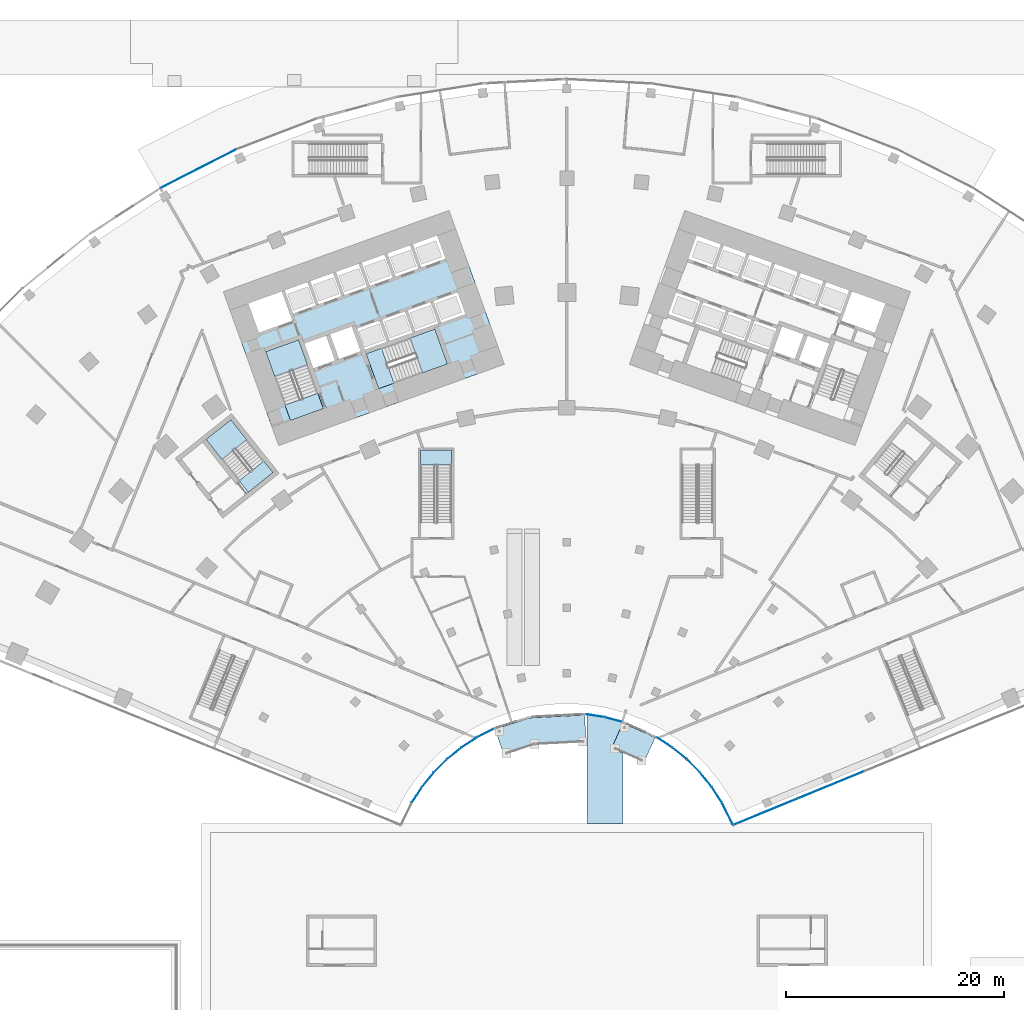
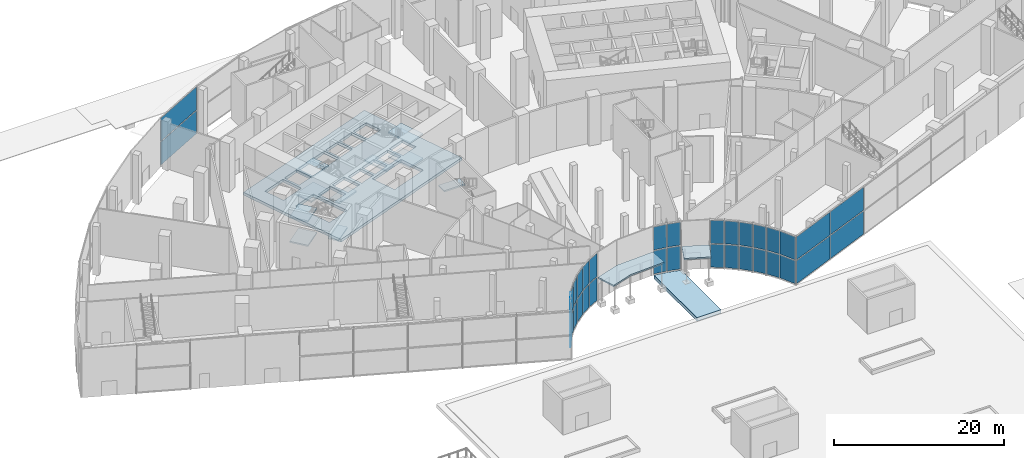
# One storey, part 20 of 60: 34 plates, 14 slabs, 7 elements without a shape of their own.
"""IFC4 building model written with IfcOpenShell, lengths in metres."""

from ifc_helpers import new_model, si_unit, direction, frame, origin, origin_2d, place, context, subcontext, project, spatial, polyline, rectangle, outline, extrude, material, layer, layer_set, type_object, element, aggregate, save


model = new_model("IFC4")

# Units and contexts
model_context = context("Model", 3, precision=1e-05, world=origin(), true_north=direction((0.0, 1.0)))
body_context = subcontext(model_context, "Body", "Model", "MODEL_VIEW")
ifc_project = project(units=[si_unit("LENGTHUNIT", "METRE"), si_unit("AREAUNIT", "SQUARE_METRE"), si_unit("VOLUMEUNIT", "CUBIC_METRE"), si_unit("PLANEANGLEUNIT", "RADIAN"), si_unit("MASSUNIT", "GRAM", prefix="KILO")], contexts=[model_context])

# Site, building, storey
site_placement = place(None, origin())
site = spatial("IfcSite", under=ifc_project, at=site_placement, CompositionType="ELEMENT")
building_placement = place(site_placement, origin())
building = spatial("IfcBuilding", under=site, at=building_placement, Name="Stone Belt Terrace Tower", CompositionType="ELEMENT")
storey_placement = place(building_placement, origin())
storey = spatial("IfcBuildingStorey", under=building, at=storey_placement, Name="L00", CompositionType="ELEMENT", Elevation=0.0)

# Curtain wall, plates
ifc_material_1 = material(Name="Aluminium 6063-T6 anodised frame", Category="aluminium")
ifc_layer_1 = layer(ifc_material_1, 0.14990234375)
ifc_layer_set_1 = layer_set([ifc_layer_1], Name="CW-D podium shopfront")
curtain_wall_type = type_object("IfcCurtainWallType", Name="CW-D podium shopfront", PredefinedType="NOTDEFINED", material=ifc_layer_set_1)
curtain_wall_1_placement = place(storey_placement, origin())
curtain_wall_1 = element("IfcCurtainWall", 1, at=curtain_wall_1_placement, inside=storey, type_object=curtain_wall_type, Name="CW-D concave face L00", PredefinedType="NOTDEFINED")
ifc_material_2 = material(Name="Clear double glazed unit")
ifc_layer_2 = layer(ifc_material_2, 0.031982421875)
ifc_layer_set_2 = layer_set([ifc_layer_2], Name="CW-D glass panel 32")
plate_type = type_object("IfcPlateType", Name="CW-D glass panel 32", PredefinedType="CURTAIN_PANEL", material=ifc_layer_set_2)
plate_1_placement = place(storey_placement, frame((-13.755859375, 8.933837890625, 0.139892578125), z_axis=(0.0, 0.0, 1.0), x_axis=(0.544639035015, 0.838670567945, 0.0)))
plate_1 = element("IfcPlate", 2, at=plate_1_placement, type_object=plate_type, Name="CW-D panel 2.1", PredefinedType="CURTAIN_PANEL", context=body_context, shape_type="SweptSolid", body=[
    extrude(rectangle(XDim=1.650390625, YDim=0.031982421875, at=origin_2d()), origin(), (0.0, 0.0, 1.0), 3.2900390625),
])
plate_2_placement = place(storey_placement, frame((-13.755859375, 8.933837890625, 3.570068359375), z_axis=(0.0, 0.0, 1.0), x_axis=(0.544639035015, 0.838670567945, 0.0)))
plate_2 = element("IfcPlate", 3, at=plate_2_placement, type_object=plate_type, Name="CW-D panel 2.2", PredefinedType="CURTAIN_PANEL", context=body_context, shape_type="SweptSolid", body=[
    extrude(rectangle(XDim=1.650390625, YDim=0.031982421875, at=origin_2d()), origin(), (0.0, 0.0, 1.0), 3.2900390625),
])
plate_3_placement = place(storey_placement, frame((-12.7470703125, 10.322265625, 0.139892578125), z_axis=(0.0, 0.0, 1.0), x_axis=(0.62932039105, 0.777145961457, 0.0)))
plate_3 = element("IfcPlate", 4, at=plate_3_placement, type_object=plate_type, Name="CW-D panel 3.1", PredefinedType="CURTAIN_PANEL", context=body_context, shape_type="SweptSolid", body=[
    extrude(rectangle(XDim=1.6513671875, YDim=0.031982421875, at=origin_2d()), origin(), (0.0, 0.0, 1.0), 3.2900390625),
])
plate_4_placement = place(storey_placement, frame((-12.7470703125, 10.322265625, 3.570068359375), z_axis=(0.0, 0.0, 1.0), x_axis=(0.62932039105, 0.777145961457, 0.0)))
plate_4 = element("IfcPlate", 5, at=plate_4_placement, type_object=plate_type, Name="CW-D panel 3.2", PredefinedType="CURTAIN_PANEL", context=body_context, shape_type="SweptSolid", body=[
    extrude(rectangle(XDim=1.6513671875, YDim=0.031982421875, at=origin_2d()), origin(), (0.0, 0.0, 1.0), 3.2900390625),
])
plate_5_placement = place(storey_placement, frame((-11.59814453125, 11.59814453125, 0.139892578125), z_axis=(0.0, 0.0, 1.0), x_axis=(0.707106781187, 0.707106781187, 0.0)))
plate_5 = element("IfcPlate", 6, at=plate_5_placement, type_object=plate_type, Name="CW-D panel 4.1", PredefinedType="CURTAIN_PANEL", context=body_context, shape_type="SweptSolid", body=[
    extrude(rectangle(XDim=1.6513671875, YDim=0.031982421875, at=origin_2d()), origin(), (0.0, 0.0, 1.0), 3.2900390625),
])
plate_6_placement = place(storey_placement, frame((-11.59814453125, 11.59814453125, 3.570068359375), z_axis=(0.0, 0.0, 1.0), x_axis=(0.707106781187, 0.707106781187, 0.0)))
plate_6 = element("IfcPlate", 7, at=plate_6_placement, type_object=plate_type, Name="CW-D panel 4.2", PredefinedType="CURTAIN_PANEL", context=body_context, shape_type="SweptSolid", body=[
    extrude(rectangle(XDim=1.6513671875, YDim=0.031982421875, at=origin_2d()), origin(), (0.0, 0.0, 1.0), 3.2900390625),
])
plate_7_placement = place(storey_placement, frame((-10.322265625, 12.7470703125, 0.139892578125), z_axis=(0.0, 0.0, 1.0), x_axis=(0.777145961457, 0.62932039105, 0.0)))
plate_7 = element("IfcPlate", 8, at=plate_7_placement, type_object=plate_type, Name="CW-D panel 5.1", PredefinedType="CURTAIN_PANEL", context=body_context, shape_type="SweptSolid", body=[
    extrude(rectangle(XDim=1.6513671875, YDim=0.031982421875, at=origin_2d()), origin(), (0.0, 0.0, 1.0), 3.2900390625),
])
plate_8_placement = place(storey_placement, frame((-10.322265625, 12.7470703125, 3.570068359375), z_axis=(0.0, 0.0, 1.0), x_axis=(0.777145961457, 0.62932039105, 0.0)))
plate_8 = element("IfcPlate", 9, at=plate_8_placement, type_object=plate_type, Name="CW-D panel 5.2", PredefinedType="CURTAIN_PANEL", context=body_context, shape_type="SweptSolid", body=[
    extrude(rectangle(XDim=1.6513671875, YDim=0.031982421875, at=origin_2d()), origin(), (0.0, 0.0, 1.0), 3.2900390625),
])
plate_9_placement = place(storey_placement, frame((-8.933349609375, 13.756103515625, 0.139892578125), z_axis=(0.0, 0.0, 1.0), x_axis=(0.838670567945, 0.544639035015, 0.0)))
plate_9 = element("IfcPlate", 10, at=plate_9_placement, type_object=plate_type, Name="CW-D panel 6.1", PredefinedType="CURTAIN_PANEL", context=body_context, shape_type="SweptSolid", body=[
    extrude(rectangle(XDim=1.6513671875, YDim=0.031982421875, at=origin_2d()), origin(), (0.0, 0.0, 1.0), 3.2900390625),
])
plate_10_placement = place(storey_placement, frame((-8.933349609375, 13.756103515625, 3.570068359375), z_axis=(0.0, 0.0, 1.0), x_axis=(0.838670567945, 0.544639035015, 0.0)))
plate_10 = element("IfcPlate", 11, at=plate_10_placement, type_object=plate_type, Name="CW-D panel 6.2", PredefinedType="CURTAIN_PANEL", context=body_context, shape_type="SweptSolid", body=[
    extrude(rectangle(XDim=1.6513671875, YDim=0.031982421875, at=origin_2d()), origin(), (0.0, 0.0, 1.0), 3.2900390625),
])
plate_11_placement = place(storey_placement, frame((-7.4482421875, 14.61376953125, 0.139892578125), z_axis=(0.0, 0.0, 1.0), x_axis=(0.891006524188, 0.45399049974, 0.0)))
plate_11 = element("IfcPlate", 12, at=plate_11_placement, type_object=plate_type, Name="CW-D panel 7.1", PredefinedType="CURTAIN_PANEL", context=body_context, shape_type="SweptSolid", body=[
    extrude(rectangle(XDim=1.6474609375, YDim=0.031982421875, at=origin_2d()), origin(), (0.0, 0.0, 1.0), 3.2900390625),
])
plate_12_placement = place(storey_placement, frame((-7.4482421875, 14.61376953125, 3.570068359375), z_axis=(0.0, 0.0, 1.0), x_axis=(0.891006524188, 0.45399049974, 0.0)))
plate_12 = element("IfcPlate", 13, at=plate_12_placement, type_object=plate_type, Name="CW-D panel 7.2", PredefinedType="CURTAIN_PANEL", context=body_context, shape_type="SweptSolid", body=[
    extrude(rectangle(XDim=1.6474609375, YDim=0.031982421875, at=origin_2d()), origin(), (0.0, 0.0, 1.0), 3.2900390625),
])
plate_13_placement = place(storey_placement, frame((2.56982421875, 16.199951171875, 0.139892578125), z_axis=(0.0, 0.0, 1.0), x_axis=(0.987688340595, -0.15643446504, 0.0)))
plate_13 = element("IfcPlate", 14, at=plate_13_placement, type_object=plate_type, Name="CW-D panel 10.1", PredefinedType="CURTAIN_PANEL", context=body_context, shape_type="SweptSolid", body=[
    extrude(rectangle(XDim=1.643798828125, YDim=0.031982421875, at=origin_2d()), origin(), (0.0, 0.0, 1.0), 3.2900390625),
])
plate_14_placement = place(storey_placement, frame((2.56982421875, 16.199951171875, 3.570068359375), z_axis=(0.0, 0.0, 1.0), x_axis=(0.987688340595, -0.15643446504, 0.0)))
plate_14 = element("IfcPlate", 15, at=plate_14_placement, type_object=plate_type, Name="CW-D panel 10.2", PredefinedType="CURTAIN_PANEL", context=body_context, shape_type="SweptSolid", body=[
    extrude(rectangle(XDim=1.643798828125, YDim=0.031982421875, at=origin_2d()), origin(), (0.0, 0.0, 1.0), 3.2900390625),
])
plate_15_placement = place(storey_placement, frame((4.243408203125, 15.843994140625, 0.139892578125), z_axis=(0.0, 0.0, 1.0), x_axis=(0.965925826289, -0.258819045103, 0.0)))
plate_15 = element("IfcPlate", 16, at=plate_15_placement, type_object=plate_type, Name="CW-D panel 11.1", PredefinedType="CURTAIN_PANEL", context=body_context, shape_type="SweptSolid", body=[
    extrude(rectangle(XDim=1.6474609375, YDim=0.031982421875, at=origin_2d()), origin(), (0.0, 0.0, 1.0), 3.2900390625),
])
plate_16_placement = place(storey_placement, frame((4.243408203125, 15.843994140625, 3.570068359375), z_axis=(0.0, 0.0, 1.0), x_axis=(0.965925826289, -0.258819045103, 0.0)))
plate_16 = element("IfcPlate", 17, at=plate_16_placement, type_object=plate_type, Name="CW-D panel 11.2", PredefinedType="CURTAIN_PANEL", context=body_context, shape_type="SweptSolid", body=[
    extrude(rectangle(XDim=1.6474609375, YDim=0.031982421875, at=origin_2d()), origin(), (0.0, 0.0, 1.0), 3.2900390625),
])
plate_17_placement = place(storey_placement, frame((8.93505859375, 13.755126953125, 0.139892578125), z_axis=(0.0, 0.0, 1.0), x_axis=(0.838670567945, -0.544639035015, 0.0)))
plate_17 = element("IfcPlate", 18, at=plate_17_placement, type_object=plate_type, Name="CW-D panel 13.1", PredefinedType="CURTAIN_PANEL", context=body_context, shape_type="SweptSolid", body=[
    extrude(rectangle(XDim=1.6474609375, YDim=0.031982421875, at=origin_2d()), origin(), (0.0, 0.0, 1.0), 3.2900390625),
])
plate_18_placement = place(storey_placement, frame((8.93505859375, 13.755126953125, 3.570068359375), z_axis=(0.0, 0.0, 1.0), x_axis=(0.838670567945, -0.544639035015, 0.0)))
plate_18 = element("IfcPlate", 19, at=plate_18_placement, type_object=plate_type, Name="CW-D panel 13.2", PredefinedType="CURTAIN_PANEL", context=body_context, shape_type="SweptSolid", body=[
    extrude(rectangle(XDim=1.6474609375, YDim=0.031982421875, at=origin_2d()), origin(), (0.0, 0.0, 1.0), 3.2900390625),
])
plate_19_placement = place(storey_placement, frame((10.322265625, 12.7470703125, 0.139892578125), z_axis=(0.0, 0.0, 1.0), x_axis=(0.777145961457, -0.62932039105, 0.0)))
plate_19 = element("IfcPlate", 20, at=plate_19_placement, type_object=plate_type, Name="CW-D panel 14.1", PredefinedType="CURTAIN_PANEL", context=body_context, shape_type="SweptSolid", body=[
    extrude(rectangle(XDim=1.6513671875, YDim=0.031982421875, at=origin_2d()), origin(), (0.0, 0.0, 1.0), 3.2900390625),
])
plate_20_placement = place(storey_placement, frame((10.322265625, 12.7470703125, 3.570068359375), z_axis=(0.0, 0.0, 1.0), x_axis=(0.777145961457, -0.62932039105, 0.0)))
plate_20 = element("IfcPlate", 21, at=plate_20_placement, type_object=plate_type, Name="CW-D panel 14.2", PredefinedType="CURTAIN_PANEL", context=body_context, shape_type="SweptSolid", body=[
    extrude(rectangle(XDim=1.6513671875, YDim=0.031982421875, at=origin_2d()), origin(), (0.0, 0.0, 1.0), 3.2900390625),
])
plate_21_placement = place(storey_placement, frame((11.59814453125, 11.59814453125, 0.139892578125), z_axis=(0.0, 0.0, 1.0), x_axis=(0.707106781187, -0.707106781187, 0.0)))
plate_21 = element("IfcPlate", 22, at=plate_21_placement, type_object=plate_type, Name="CW-D panel 15.1", PredefinedType="CURTAIN_PANEL", context=body_context, shape_type="SweptSolid", body=[
    extrude(rectangle(XDim=1.6513671875, YDim=0.031982421875, at=origin_2d()), origin(), (0.0, 0.0, 1.0), 3.2900390625),
])
plate_22_placement = place(storey_placement, frame((11.59814453125, 11.59814453125, 3.570068359375), z_axis=(0.0, 0.0, 1.0), x_axis=(0.707106781187, -0.707106781187, 0.0)))
plate_22 = element("IfcPlate", 23, at=plate_22_placement, type_object=plate_type, Name="CW-D panel 15.2", PredefinedType="CURTAIN_PANEL", context=body_context, shape_type="SweptSolid", body=[
    extrude(rectangle(XDim=1.6513671875, YDim=0.031982421875, at=origin_2d()), origin(), (0.0, 0.0, 1.0), 3.2900390625),
])
plate_23_placement = place(storey_placement, frame((12.7470703125, 10.322265625, 0.139892578125), z_axis=(0.0, 0.0, 1.0), x_axis=(0.62932039105, -0.777145961457, 0.0)))
plate_23 = element("IfcPlate", 24, at=plate_23_placement, type_object=plate_type, Name="CW-D panel 16.1", PredefinedType="CURTAIN_PANEL", context=body_context, shape_type="SweptSolid", body=[
    extrude(rectangle(XDim=1.6513671875, YDim=0.031982421875, at=origin_2d()), origin(), (0.0, 0.0, 1.0), 3.2900390625),
])
plate_24_placement = place(storey_placement, frame((12.7470703125, 10.322265625, 3.570068359375), z_axis=(0.0, 0.0, 1.0), x_axis=(0.62932039105, -0.777145961457, 0.0)))
plate_24 = element("IfcPlate", 25, at=plate_24_placement, type_object=plate_type, Name="CW-D panel 16.2", PredefinedType="CURTAIN_PANEL", context=body_context, shape_type="SweptSolid", body=[
    extrude(rectangle(XDim=1.6513671875, YDim=0.031982421875, at=origin_2d()), origin(), (0.0, 0.0, 1.0), 3.2900390625),
])
plate_25_placement = place(storey_placement, frame((13.755859375, 8.933837890625, 0.139892578125), z_axis=(0.0, 0.0, 1.0), x_axis=(0.544639035015, -0.838670567945, 0.0)))
plate_25 = element("IfcPlate", 26, at=plate_25_placement, type_object=plate_type, Name="CW-D panel 17.1", PredefinedType="CURTAIN_PANEL", context=body_context, shape_type="SweptSolid", body=[
    extrude(rectangle(XDim=1.650390625, YDim=0.031982421875, at=origin_2d()), origin(), (0.0, 0.0, 1.0), 3.2900390625),
])
plate_26_placement = place(storey_placement, frame((13.755859375, 8.933837890625, 3.570068359375), z_axis=(0.0, 0.0, 1.0), x_axis=(0.544639035015, -0.838670567945, 0.0)))
plate_26 = element("IfcPlate", 27, at=plate_26_placement, type_object=plate_type, Name="CW-D panel 17.2", PredefinedType="CURTAIN_PANEL", context=body_context, shape_type="SweptSolid", body=[
    extrude(rectangle(XDim=1.650390625, YDim=0.031982421875, at=origin_2d()), origin(), (0.0, 0.0, 1.0), 3.2900390625),
])
plate_27_placement = place(storey_placement, frame((14.718994140625, 7.20458984375, 0.139892578125), z_axis=(0.0, 0.0, 1.0), x_axis=(0.440619322366, -0.897694052981, 0.0)))
plate_27 = element("IfcPlate", 28, at=plate_27_placement, type_object=plate_type, Name="CW-D panel 18.1", PredefinedType="CURTAIN_PANEL", context=body_context, shape_type="SweptSolid", body=[
    extrude(rectangle(XDim=2.177734375, YDim=0.031982421875, at=origin_2d()), origin(), (0.0, 0.0, 1.0), 3.2900390625),
])
plate_28_placement = place(storey_placement, frame((14.718994140625, 7.20458984375, 3.570068359375), z_axis=(0.0, 0.0, 1.0), x_axis=(0.440619322366, -0.897694052981, 0.0)))
plate_28 = element("IfcPlate", 29, at=plate_28_placement, type_object=plate_type, Name="CW-D panel 18.2", PredefinedType="CURTAIN_PANEL", context=body_context, shape_type="SweptSolid", body=[
    extrude(rectangle(XDim=2.177734375, YDim=0.031982421875, at=origin_2d()), origin(), (0.0, 0.0, 1.0), 3.2900390625),
])
aggregate(curtain_wall_1, [plate_1, plate_2, plate_3, plate_4, plate_5, plate_6, plate_7, plate_8, plate_9, plate_10, plate_11, plate_12, plate_13, plate_14, plate_15, plate_16, plate_17, plate_18, plate_19, plate_20, plate_21, plate_22, plate_23, plate_24, plate_25, plate_26, plate_27, plate_28])

curtain_wall_2_placement = place(storey_placement, origin())
curtain_wall_2 = element("IfcCurtainWall", 30, at=curtain_wall_2_placement, inside=storey, type_object=curtain_wall_type, Name="CW-D end face L00", PredefinedType="NOTDEFINED")
plate_29_placement = place(storey_placement, frame((18.264892578125, 7.405029296875, 0.139892578125), z_axis=(0.0, 0.0, 1.0), x_axis=(0.925297074342, 0.379243093825, 0.0)))
plate_29 = element("IfcPlate", 31, at=plate_29_placement, type_object=plate_type, Name="CW-D panel 1.1", PredefinedType="CURTAIN_PANEL", context=body_context, shape_type="SweptSolid", body=[
    extrude(rectangle(XDim=6.411376953125, YDim=0.031982421875, at=origin_2d()), origin(), (0.0, 0.0, 1.0), 3.2900390625),
])
plate_30_placement = place(storey_placement, frame((18.264892578125, 7.405029296875, 3.570068359375), z_axis=(0.0, 0.0, 1.0), x_axis=(0.925297074342, 0.379243093825, 0.0)))
plate_30 = element("IfcPlate", 32, at=plate_30_placement, type_object=plate_type, Name="CW-D panel 1.2", PredefinedType="CURTAIN_PANEL", context=body_context, shape_type="SweptSolid", body=[
    extrude(rectangle(XDim=6.411376953125, YDim=0.031982421875, at=origin_2d()), origin(), (0.0, 0.0, 1.0), 3.2900390625),
])
plate_31_placement = place(storey_placement, frame((24.240478515625, 9.854248046875, 0.139892578125), z_axis=(0.0, 0.0, 1.0), x_axis=(0.925297074342, 0.379243093825, 0.0)))
plate_31 = element("IfcPlate", 33, at=plate_31_placement, type_object=plate_type, Name="CW-D panel 2.1", PredefinedType="CURTAIN_PANEL", context=body_context, shape_type="SweptSolid", body=[
    extrude(rectangle(XDim=6.384521484375, YDim=0.031982421875, at=origin_2d()), origin(), (0.0, 0.0, 1.0), 3.2900390625),
])
plate_32_placement = place(storey_placement, frame((24.240478515625, 9.854248046875, 3.570068359375), z_axis=(0.0, 0.0, 1.0), x_axis=(0.925297074342, 0.379243093825, 0.0)))
plate_32 = element("IfcPlate", 34, at=plate_32_placement, type_object=plate_type, Name="CW-D panel 2.2", PredefinedType="CURTAIN_PANEL", context=body_context, shape_type="SweptSolid", body=[
    extrude(rectangle(XDim=6.384521484375, YDim=0.031982421875, at=origin_2d()), origin(), (0.0, 0.0, 1.0), 3.2900390625),
])
aggregate(curtain_wall_2, [plate_29, plate_30, plate_31, plate_32])

curtain_wall_3_placement = place(storey_placement, origin())
curtain_wall_3 = element("IfcCurtainWall", 35, at=curtain_wall_3_placement, inside=storey, type_object=curtain_wall_type, Name="CW-D convex face L00", PredefinedType="NOTDEFINED")
plate_33_placement = place(storey_placement, frame((-33.81005859375, 66.35595703125, 0.139892578125), z_axis=(0.0, 0.0, 1.0), x_axis=(-0.891006524188, -0.45399049974, 0.0)))
plate_33 = element("IfcPlate", 36, at=plate_33_placement, type_object=plate_type, Name="CW-D panel 17.1", PredefinedType="CURTAIN_PANEL", context=body_context, shape_type="SweptSolid", body=[
    extrude(rectangle(XDim=7.738037109375, YDim=0.031982421875, at=origin_2d()), origin(), (0.0, 0.0, 1.0), 3.2900390625),
])
plate_34_placement = place(storey_placement, frame((-33.81005859375, 66.35595703125, 3.570068359375), z_axis=(0.0, 0.0, 1.0), x_axis=(-0.891006524188, -0.45399049974, 0.0)))
plate_34 = element("IfcPlate", 37, at=plate_34_placement, type_object=plate_type, Name="CW-D panel 17.2", PredefinedType="CURTAIN_PANEL", context=body_context, shape_type="SweptSolid", body=[
    extrude(rectangle(XDim=7.738037109375, YDim=0.031982421875, at=origin_2d()), origin(), (0.0, 0.0, 1.0), 3.2900390625),
])
aggregate(curtain_wall_3, [plate_33, plate_34])

# Slabs
ifc_material_3 = material(Name="Concrete B40", Category="concrete")
ifc_layer_3 = layer(ifc_material_3, 0.39990234375)
ifc_layer_set_3 = layer_set([ifc_layer_3], Name="Core floor slab 400")
slab_type_1 = type_object("IfcSlabType", Name="Core floor slab 400", PredefinedType="FLOOR", material=ifc_layer_set_3)
slab_1_placement = place(storey_placement, frame((0.0, 0.0, -0.39990234375)))
element("IfcSlab", 38, at=slab_1_placement, inside=storey, type_object=slab_type_1, Name="Core A floor L00", PredefinedType="FLOOR", context=body_context, shape_type="SweptSolid", body=[
    extrude(outline(polyline([(-26.43505859375, 40.968994140625), (-5.735107421875, 48.4189453125), (-10.81396484375, 62.531982421875), (-31.513916015625, 55.0830078125), (-26.43505859375, 40.968994140625)]), holes=[polyline([(-24.60791015625, 50.659912109375), (-22.847900390625, 45.76806640625), (-25.85888671875, 44.68408203125), (-27.618896484375, 49.575927734375), (-24.60791015625, 50.659912109375)]), polyline([(-21.27392578125, 48.778076171875), (-23.25, 48.06689453125), (-24.06298828125, 50.324951171875), (-22.0869140625, 51.035888671875), (-21.27392578125, 48.778076171875)]), polyline([(-18.922119140625, 49.6240234375), (-20.89794921875, 48.9130859375), (-21.7109375, 51.1708984375), (-19.735107421875, 51.883056640625), (-18.922119140625, 49.6240234375)]), polyline([(-19.239990234375, 51.68896484375), (-17.217041015625, 52.4169921875), (-16.52294921875, 50.488037109375), (-18.5458984375, 49.760009765625), (-19.239990234375, 51.68896484375)]), polyline([(-29.2109375, 53.9990234375), (-26.153076171875, 55.09912109375), (-25.18798828125, 52.41796875), (-28.24609375, 51.31689453125), (-29.2109375, 53.9990234375)]), polyline([(-23.801025390625, 55.946044921875), (-23.0390625, 53.8291015625), (-25.10888671875, 53.083984375), (-25.87109375, 55.200927734375), (-23.801025390625, 55.946044921875)]), polyline([(-21.447998046875, 56.7919921875), (-20.68603515625, 54.675048828125), (-22.756103515625, 53.929931640625), (-23.51806640625, 56.047119140625), (-21.447998046875, 56.7919921875)]), polyline([(-19.095947265625, 57.638916015625), (-18.333984375, 55.52197265625), (-20.404052734375, 54.777099609375), (-21.166015625, 56.89404296875), (-19.095947265625, 57.638916015625)]), polyline([(-15.846923828125, 46.69189453125), (-16.998046875, 49.89208984375), (-12.10595703125, 51.652099609375), (-10.955078125, 48.452880859375), (-15.846923828125, 46.69189453125)]), polyline([(-16.239990234375, 50.589111328125), (-16.93408203125, 52.51806640625), (-14.864013671875, 53.262939453125), (-14.169921875, 51.333984375), (-16.239990234375, 50.589111328125)]), polyline([(-11.801025390625, 52.134033203125), (-11.847900390625, 52.116943359375), (-11.864990234375, 52.1640625), (-13.887939453125, 51.43603515625), (-14.58203125, 53.364990234375), (-12.511962890625, 54.110107421875), (-11.801025390625, 52.134033203125)]), polyline([(-9.30810546875, 53.031005859375), (-11.51904296875, 52.235107421875), (-12.22998046875, 54.2109375), (-10.01904296875, 55.007080078125), (-9.30810546875, 53.031005859375)]), polyline([(-16.743896484375, 58.485107421875), (-15.98193359375, 56.367919921875), (-18.052001953125, 55.623046875), (-18.81396484375, 57.739990234375), (-16.743896484375, 58.485107421875)]), polyline([(-14.39111328125, 59.33203125), (-13.6298828125, 57.215087890625), (-15.699951171875, 56.469970703125), (-16.4609375, 58.5869140625), (-14.39111328125, 59.33203125)]), polyline([(-11.89794921875, 60.22900390625), (-11.135986328125, 58.112060546875), (-13.346923828125, 57.31591796875), (-14.10888671875, 59.43408203125), (-11.89794921875, 60.22900390625)])]), origin(), (0.0, 0.0, 1.0), 0.39990234375),
])
ifc_material_4 = material(Name="Structural steel C345", Category="steel")
ifc_layer_4 = layer(ifc_material_4, 0.199951171875)
ifc_layer_set_4 = layer_set([ifc_layer_4], Name="Entrance canopy slab 200")
slab_type_2 = type_object("IfcSlabType", Name="Entrance canopy slab 200", PredefinedType="ROOF", material=ifc_layer_set_4)
slab_2_placement = place(storey_placement, frame((0.0, 0.0, 3.199951171875)))
element("IfcSlab", 39, at=slab_2_placement, inside=storey, type_object=slab_type_2, Name="CANOPY entrance L00", PredefinedType="ROOF", context=body_context, shape_type="SweptSolid", body=[
    extrude(outline(polyline([(-6.569580078125, 14.961669921875), (-3.403076171875, 15.99072265625), (1.6328125, 16.254638671875), (1.763427734375, 13.758056640625), (-2.943359375, 13.51123046875), (-5.797119140625, 12.583984375), (-6.569580078125, 14.961669921875)])), origin(), (0.0, 0.0, 1.0), 0.199951171875),
])
slab_3_placement = place(storey_placement, frame((0.0, 0.0, 3.199951171875)))
element("IfcSlab", 40, at=slab_3_placement, inside=storey, type_object=slab_type_2, Name="CANOPY entrance L00", PredefinedType="ROOF", context=body_context, shape_type="SweptSolid", body=[
    extrude(outline(polyline([(5.129150390625, 15.5146484375), (8.09765625, 14.193115234375), (7.080810546875, 11.9091796875), (4.1123046875, 13.23095703125), (5.129150390625, 15.5146484375)])), origin(), (0.0, 0.0, 1.0), 0.199951171875),
])
ifc_layer_5 = layer(ifc_material_3, 0.5)
ifc_layer_set_5 = layer_set([ifc_layer_5], Name="Garden deck slab 500")
slab_type_3 = type_object("IfcSlabType", Name="Garden deck slab 500", PredefinedType="FLOOR", material=ifc_layer_set_5)
slab_4_placement = place(storey_placement, frame((0.0, 0.0, -0.60009765625)))
element("IfcSlab", 41, at=slab_4_placement, inside=storey, type_object=slab_type_3, Name="Link corridor roof", PredefinedType="FLOOR", context=body_context, shape_type="SweptSolid", body=[
    extrude(outline(polyline([(1.85009765625, 6.300048828125), (5.14990234375, 6.300048828125), (5.14990234375, 15.633544921875), (4.737548828125, 15.763427734375), (4.324951171875, 15.881591796875), (3.91259765625, 15.98828125), (3.5, 16.08349609375), (3.08740234375, 16.167724609375), (2.675048828125, 16.2412109375), (2.262451171875, 16.3037109375), (1.85009765625, 16.355712890625), (1.85009765625, 6.300048828125)])), origin(), (0.0, 0.0, 1.0), 0.5),
])

# Stair, slab
ifc_material_5 = material(Name="Concrete B30", Category="concrete")
stair_type_1 = type_object("IfcStairType", Name="Podium stair concrete B30", PredefinedType="HALF_TURN_STAIR", material=ifc_material_5)
stair_1_placement = place(storey_placement, origin())
stair_1 = element("IfcStair", 42, at=stair_1_placement, inside=storey, type_object=stair_type_1, Name="L00 podium exit stair 5", PredefinedType="HALF_TURN_STAIR")
ifc_layer_6 = layer(ifc_material_5, 0.199951171875)
ifc_layer_set_6 = layer_set([ifc_layer_6], Name="Podium stair landing concrete B30")
slab_type_4 = type_object("IfcSlabType", Name="Podium stair landing concrete B30", PredefinedType="LANDING", material=ifc_layer_set_6)
slab_5_placement = place(storey_placement, frame((0.0, 0.0, 3.300048828125)))
slab_5 = element("IfcSlab", 43, at=slab_5_placement, type_object=slab_type_4, Name="PS5 landing 1", PredefinedType="LANDING", context=body_context, shape_type="SweptSolid", body=[
    extrude(outline(polyline([(-10.574951171875, 39.20703125), (-10.574951171875, 40.56005859375), (-13.425048828125, 40.56005859375), (-13.425048828125, 39.20703125), (-10.574951171875, 39.20703125)])), origin(), (0.0, 0.0, 1.0), 0.199951171875),
])
aggregate(stair_1, [slab_5])

# Stair, slabs
stair_type_2 = type_object("IfcStairType", Name="Exit stair 1500", PredefinedType="HALF_TURN_STAIR", material=ifc_material_3)
stair_2_placement = place(storey_placement, origin())
stair_2 = element("IfcStair", 44, at=stair_2_placement, inside=storey, type_object=stair_type_2, Name="L00 Exit stair 1 core A", PredefinedType="HALF_TURN_STAIR")
ifc_layer_7 = layer(ifc_material_3, 0.199951171875)
ifc_layer_set_7 = layer_set([ifc_layer_7], Name="Stair landing 200")
slab_type_5 = type_object("IfcSlabType", Name="Stair landing 200", PredefinedType="LANDING", material=ifc_layer_set_7)
slab_6_placement = place(storey_placement, frame((0.0, 0.0, 1.550048828125)))
slab_6 = element("IfcSlab", 45, at=slab_6_placement, type_object=slab_type_5, Name="ST1A landing 1", PredefinedType="LANDING", context=body_context, shape_type="SweptSolid", body=[
    extrude(outline(polyline([(-23.792236328125, 48.3916015625), (-24.6083984375, 50.659912109375), (-27.619384765625, 49.576171875), (-26.802978515625, 47.307861328125), (-23.792236328125, 48.3916015625)])), origin(), (0.0, 0.0, 1.0), 0.199951171875),
])
slab_7_placement = place(storey_placement, frame((0.0, 0.0, 3.300048828125)))
slab_7 = element("IfcSlab", 46, at=slab_7_placement, type_object=slab_type_5, Name="ST1A landing 2", PredefinedType="LANDING", context=body_context, shape_type="SweptSolid", body=[
    extrude(outline(polyline([(-22.339599609375, 44.355712890625), (-22.847900390625, 45.767822265625), (-25.85888671875, 44.684326171875), (-25.3505859375, 43.27197265625), (-22.339599609375, 44.355712890625)])), origin(), (0.0, 0.0, 1.0), 0.199951171875),
])
slab_8_placement = place(storey_placement, frame((0.0, 0.0, 5.050048828125)))
slab_8 = element("IfcSlab", 47, at=slab_8_placement, type_object=slab_type_5, Name="ST1A landing 3", PredefinedType="LANDING", context=body_context, shape_type="SweptSolid", body=[
    extrude(outline(polyline([(-23.792236328125, 48.3916015625), (-24.6083984375, 50.659912109375), (-27.619384765625, 49.576171875), (-26.802978515625, 47.307861328125), (-23.792236328125, 48.3916015625)])), origin(), (0.0, 0.0, 1.0), 0.199951171875),
])
aggregate(stair_2, [slab_6, slab_7, slab_8])

stair_3_placement = place(storey_placement, origin())
stair_3 = element("IfcStair", 48, at=stair_3_placement, inside=storey, type_object=stair_type_2, Name="L00 Exit stair 2 core A", PredefinedType="HALF_TURN_STAIR")
slab_9_placement = place(storey_placement, frame((0.0, 0.0, 1.550048828125)))
slab_9 = element("IfcSlab", 49, at=slab_9_placement, type_object=slab_type_5, Name="ST2A landing 1", PredefinedType="LANDING", context=body_context, shape_type="SweptSolid", body=[
    extrude(outline(polyline([(-13.222900390625, 47.63671875), (-10.95458984375, 48.453125), (-12.10595703125, 51.652099609375), (-14.374267578125, 50.8359375), (-13.222900390625, 47.63671875)])), origin(), (0.0, 0.0, 1.0), 0.199951171875),
])
slab_10_placement = place(storey_placement, frame((0.0, 0.0, 3.300048828125)))
slab_10 = element("IfcSlab", 50, at=slab_10_placement, type_object=slab_type_5, Name="ST2A landing 2", PredefinedType="LANDING", context=body_context, shape_type="SweptSolid", body=[
    extrude(outline(polyline([(-17.2587890625, 46.184326171875), (-15.8466796875, 46.6923828125), (-16.997802734375, 49.8916015625), (-18.41015625, 49.38330078125), (-17.2587890625, 46.184326171875)])), origin(), (0.0, 0.0, 1.0), 0.199951171875),
])
slab_11_placement = place(storey_placement, frame((0.0, 0.0, 5.050048828125)))
slab_11 = element("IfcSlab", 51, at=slab_11_placement, type_object=slab_type_5, Name="ST2A landing 3", PredefinedType="LANDING", context=body_context, shape_type="SweptSolid", body=[
    extrude(outline(polyline([(-13.222900390625, 47.63671875), (-10.95458984375, 48.453125), (-12.10595703125, 51.652099609375), (-14.374267578125, 50.8359375), (-13.222900390625, 47.63671875)])), origin(), (0.0, 0.0, 1.0), 0.199951171875),
])
aggregate(stair_3, [slab_9, slab_10, slab_11])

stair_4_placement = place(storey_placement, origin())
stair_4 = element("IfcStair", 52, at=stair_4_placement, inside=storey, type_object=stair_type_2, Name="L00 Exit stair 3A", PredefinedType="HALF_TURN_STAIR")
slab_12_placement = place(storey_placement, frame((0.0, 0.0, 1.550048828125)))
slab_12 = element("IfcSlab", 53, at=slab_12_placement, type_object=slab_type_5, Name="ST3A landing 1", PredefinedType="LANDING", context=body_context, shape_type="SweptSolid", body=[
    extrude(outline(polyline([(-29.3671875, 41.514892578125), (-30.819580078125, 43.337890625), (-33.087646484375, 41.53076171875), (-31.63525390625, 39.707763671875), (-29.3671875, 41.514892578125)])), origin(), (0.0, 0.0, 1.0), 0.199951171875),
])
slab_13_placement = place(storey_placement, frame((0.0, 0.0, 3.300048828125)))
slab_13 = element("IfcSlab", 54, at=slab_13_placement, type_object=slab_type_5, Name="ST3A landing 2", PredefinedType="LANDING", context=body_context, shape_type="SweptSolid", body=[
    extrude(outline(polyline([(-26.956298828125, 38.48876953125), (-27.7978515625, 39.545166015625), (-30.066162109375, 37.73828125), (-29.224365234375, 36.681640625), (-26.956298828125, 38.48876953125)])), origin(), (0.0, 0.0, 1.0), 0.199951171875),
])
slab_14_placement = place(storey_placement, frame((0.0, 0.0, 5.050048828125)))
slab_14 = element("IfcSlab", 55, at=slab_14_placement, type_object=slab_type_5, Name="ST3A landing 3", PredefinedType="LANDING", context=body_context, shape_type="SweptSolid", body=[
    extrude(outline(polyline([(-29.3671875, 41.514892578125), (-30.819580078125, 43.337890625), (-33.087646484375, 41.53076171875), (-31.63525390625, 39.707763671875), (-29.3671875, 41.514892578125)])), origin(), (0.0, 0.0, 1.0), 0.199951171875),
])
aggregate(stair_4, [slab_12, slab_13, slab_14])

save(model, "model.ifc")
